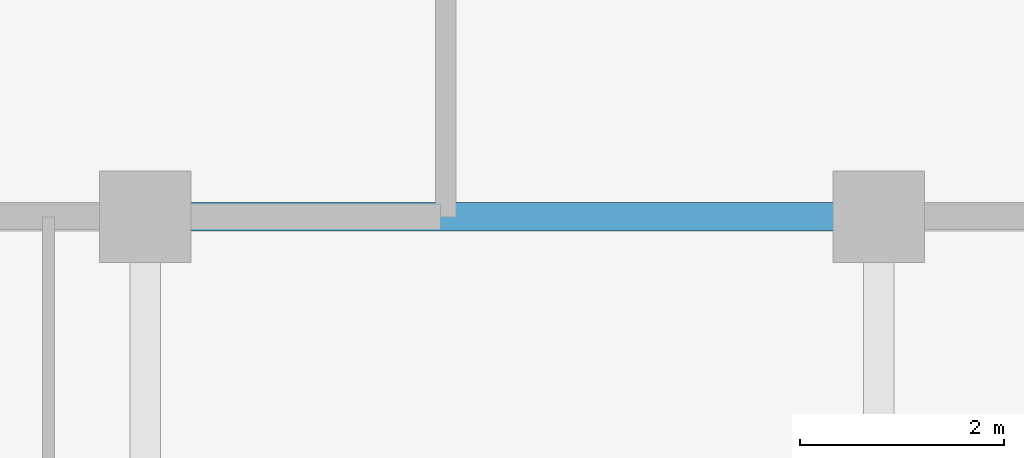
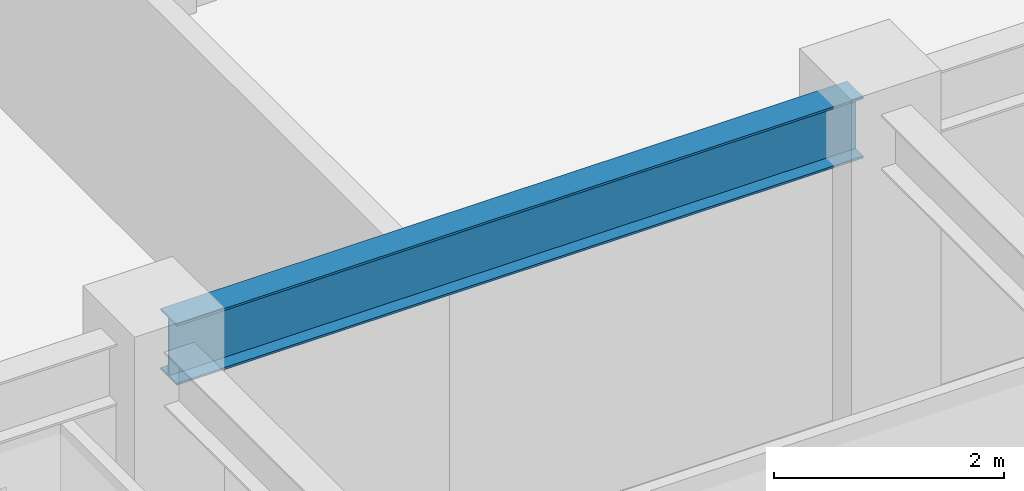
# One storey, part 6 of 22: 1 beam.
"""IFC4 building model written with IfcOpenShell, lengths in metres."""

import ifcopenshell
import ifcopenshell.guid

model = None  # the IFC model being written
_history = None  # IfcOwnerHistory: only IFC2X3 demands one
_inside = {}  # id of a spatial element -> (the spatial element, [elements in it])
_under = {}  # id of a project, library or spatial element -> (it, [spatial elements below it])
_declared = {}  # id of a project -> (the project, [libraries it declares])
_typed = {}  # id of a type object -> (the type object, [elements of that type])
_made_of = {}  # id of a material, layer set ... -> (it, [elements and type objects made of it])


def new_model(schema):
    """Start an empty IFC model of exactly this schema.

    Asked for "IFC4X3", IfcOpenShell would pick the latest addendum, in which some entities
    have other attributes; the version numbers below select the first issue.
    IFC2X3 requires an IfcOwnerHistory on every rooted entity: one is made here for all.
    """
    global model, _history
    if schema == "IFC4X3":
        model = ifcopenshell.file(schema_version=(4, 3, 0, 0))
    else:
        model = ifcopenshell.file(schema=schema)
    _inside.clear()
    _under.clear()
    _declared.clear()
    _typed.clear()
    _made_of.clear()
    _history = None
    if model.schema == "IFC2X3":
        org = make("IfcOrganization", Name="unknown")
        user = make(
            "IfcPersonAndOrganization",
            ThePerson=make("IfcPerson", FamilyName="unknown"),
            TheOrganization=org,
        )
        app = make(
            "IfcApplication",
            ApplicationDeveloper=org,
            Version="unknown",
            ApplicationFullName="unknown",
            ApplicationIdentifier="unknown",
        )
        _history = make(
            "IfcOwnerHistory",
            OwningUser=user,
            OwningApplication=app,
            ChangeAction="ADDED",
            CreationDate=0,
        )
    return model


def make(cls, **values):
    """One entity of the class cls with the attributes given. An attribute that is None is left unset."""
    return model.create_entity(
        cls, **{name: value for name, value in values.items() if value is not None}
    )


def rooted(cls, **values):
    """An entity with a GlobalId (a new one), such as an element, a storey or a relation."""
    return make(cls, GlobalId=ifcopenshell.guid.new(), OwnerHistory=_history, **values)


def si_unit(unit_type, name, prefix=None):
    """IfcSIUnit, for example si_unit("LENGTHUNIT", "METRE", prefix="MILLI")."""
    return make("IfcSIUnit", UnitType=unit_type, Prefix=prefix, Name=name)


def assignment(units):
    """IfcUnitAssignment: the units of a project."""
    return None if units is None else make("IfcUnitAssignment", Units=units)


def point(xyz):
    """IfcCartesianPoint."""
    return None if xyz is None else make("IfcCartesianPoint", Coordinates=xyz)


def direction(xyz):
    """IfcDirection."""
    return None if xyz is None else make("IfcDirection", DirectionRatios=xyz)


def frame(location, z_axis=None, x_axis=None):
    """IfcAxis2Placement3D, a coordinate frame: its origin and axes. An axis left out is left unset."""
    return make(
        "IfcAxis2Placement3D",
        Location=point(location),
        Axis=direction(z_axis),
        RefDirection=direction(x_axis),
    )


def frame_2d(location, x_axis=None):
    """IfcAxis2Placement2D, a coordinate frame in the plane: its origin and x axis."""
    return make(
        "IfcAxis2Placement2D", Location=point(location), RefDirection=direction(x_axis)
    )


def origin():
    """The frame at (0, 0, 0) with its axes left unset."""
    return frame((0.0, 0.0, 0.0))


def origin_2d():
    """The frame at (0, 0) in the plane with its x axis left unset."""
    return frame_2d((0.0, 0.0))


def place(relative_to, where):
    """IfcLocalPlacement: puts the frame where relative to a parent placement (None: the world)."""
    return make(
        "IfcLocalPlacement", PlacementRelTo=relative_to, RelativePlacement=where
    )


def context(
    kind, dimensions, precision=None, world=None, true_north=None, identifier=None
):
    """IfcGeometricRepresentationContext, for example the 3D "Model" context."""
    return make(
        "IfcGeometricRepresentationContext",
        ContextIdentifier=identifier,
        ContextType=kind,
        CoordinateSpaceDimension=dimensions,
        Precision=precision,
        WorldCoordinateSystem=world,
        TrueNorth=true_north,
    )


def subcontext(parent, identifier, kind, view, scale=None):
    """IfcGeometricRepresentationSubContext, for example "Body" below "Model"."""
    return make(
        "IfcGeometricRepresentationSubContext",
        ContextIdentifier=identifier,
        ContextType=kind,
        ParentContext=parent,
        TargetScale=scale,
        TargetView=view,
    )


def project(units=None, contexts=None):
    """IfcProject with its units and contexts."""
    return rooted(
        "IfcProject",
        Name="project",
        RepresentationContexts=contexts,
        UnitsInContext=assignment(units),
    )


def spatial(cls, under=None, at=None, **own):
    """A site, building, storey or space (cls), placed at a placement, below another one or the project."""
    s = rooted(cls, ObjectPlacement=at, **own)
    if under is not None:
        _under.setdefault(under.id(), (under, []))[1].append(s)
    return s


def profile(cls, at=None, kind="AREA", **sizes):
    """A parametric profile (cls). Its sizes go by their IFC names, for example OverallWidth=200.0."""
    return make(cls, ProfileType=kind, Position=at, **sizes)


def i_section(**sizes):
    """IfcIShapeProfileDef."""
    return profile("IfcIShapeProfileDef", **sizes)


def extrude(swept, where, along, depth):
    """IfcExtrudedAreaSolid: the profile swept, set in the frame where, extruded along a direction by depth."""
    return make(
        "IfcExtrudedAreaSolid",
        SweptArea=swept,
        Position=where,
        ExtrudedDirection=direction(along),
        Depth=depth,
    )


def shape(context_of_items, identifier, shape_type, items):
    """IfcShapeRepresentation: the items that make up one representation, for example the "Body"."""
    return make(
        "IfcShapeRepresentation",
        ContextOfItems=context_of_items,
        RepresentationIdentifier=identifier,
        RepresentationType=shape_type,
        Items=items,
    )


def source(mapping_origin, context_of_items, identifier, shape_type, items):
    """IfcRepresentationMap: a shape defined once, which mapped items show again and again."""
    return make(
        "IfcRepresentationMap",
        MappingOrigin=mapping_origin,
        MappedRepresentation=shape(context_of_items, identifier, shape_type, items),
    )


def transform(
    local_origin,
    x_axis=None,
    y_axis=None,
    z_axis=None,
    scale=None,
    scale2=None,
    scale3=None,
    uniform=True,
):
    """IfcCartesianTransformationOperator3D, or its non-uniform kind. x_axis, y_axis, z_axis: its Axis1, 2, 3."""
    if uniform:
        return make(
            "IfcCartesianTransformationOperator3D",
            Axis1=direction(x_axis),
            Axis2=direction(y_axis),
            LocalOrigin=point(local_origin),
            Scale=scale,
            Axis3=direction(z_axis),
        )
    return make(
        "IfcCartesianTransformationOperator3DnonUniform",
        Axis1=direction(x_axis),
        Axis2=direction(y_axis),
        LocalOrigin=point(local_origin),
        Scale=scale,
        Axis3=direction(z_axis),
        Scale2=scale2,
        Scale3=scale3,
    )


def mapped(mapping_source, mapping_target):
    """IfcMappedItem: shows the shape of a source again, moved by a transform."""
    return make(
        "IfcMappedItem", MappingSource=mapping_source, MappingTarget=mapping_target
    )


def material(Name=None, Category=None):
    """IfcMaterial."""
    return make("IfcMaterial", Name=Name, Category=Category)


def material_profile(
    of_material, cross_section, Name=None, Category=None, Priority=None
):
    """IfcMaterialProfile: a cross section and its material."""
    return make(
        "IfcMaterialProfile",
        Name=Name,
        Material=of_material,
        Profile=cross_section,
        Priority=Priority,
        Category=Category,
    )


def profile_set(profiles, Name=None, composite=None):
    """IfcMaterialProfileSet."""
    return make(
        "IfcMaterialProfileSet",
        Name=Name,
        MaterialProfiles=profiles,
        CompositeProfile=composite,
    )


def made_of(thing, what):
    """Note that an element or type object is made of a material, layer set ...; save() writes the relation."""
    if what is not None:
        _made_of.setdefault(what.id(), (what, []))[1].append(thing)
    return thing


def type_object(cls, material=None, **own):
    """A type object (cls), such as IfcWallType, which elements share."""
    return made_of(rooted(cls, **own), material)


def element(
    cls,
    number,
    at=None,
    inside=None,
    cuts=None,
    type_object=None,
    material=None,
    context=None,
    identifier="Body",
    shape_type=None,
    held_by="IfcProductDefinitionShape",
    body=None,
    shapes=None,
    **own,
):
    """One element of the class cls, such as IfcWall. Its Tag is "e" and its number.

    at: its placement. inside: the storey or other place that contains it. cuts: it is an
    opening in that element (IfcRelVoidsElement). A single representation is given by context,
    identifier, shape_type and body (its items); several are given by shapes. held_by: the class
    of the entity that holds the representations. save() writes the other relations.
    """
    e = rooted(cls, Tag="e%d" % number, ObjectPlacement=at, **own)
    if body is not None:
        shapes = [shape(context, identifier, shape_type, body)]
    if shapes is not None:
        e.Representation = make(held_by, Representations=shapes)
    if inside is not None:
        _inside.setdefault(inside.id(), (inside, []))[1].append(e)
    if cuts is not None:
        rooted(
            "IfcRelVoidsElement", RelatingBuildingElement=cuts, RelatedOpeningElement=e
        )
    if type_object is not None:
        _typed.setdefault(type_object.id(), (type_object, []))[1].append(e)
    return made_of(e, material)


def aggregate(whole, parts):
    """IfcRelAggregates: a whole, such as a stair, and the parts it consists of."""
    return rooted("IfcRelAggregates", RelatingObject=whole, RelatedObjects=parts)


def save(model, path):
    """Write the relations noted so far, then the file.

    IfcRelAggregates (storeys below a building ...), IfcRelContainedInSpatialStructure (elements
    in a storey), IfcRelDefinesByType, IfcRelAssociatesMaterial and IfcRelDeclares: one each for
    every whole, place, type object, material and project.
    """
    for whole, parts in _under.values():
        aggregate(whole, parts)
    for where, things in _inside.values():
        rooted(
            "IfcRelContainedInSpatialStructure",
            RelatedElements=things,
            RelatingStructure=where,
        )
    for kind, things in _typed.values():
        rooted("IfcRelDefinesByType", RelatedObjects=things, RelatingType=kind)
    for what, things in _made_of.values():
        rooted("IfcRelAssociatesMaterial", RelatedObjects=things, RelatingMaterial=what)
    for by, libraries in _declared.values():
        rooted("IfcRelDeclares", RelatingContext=by, RelatedDefinitions=libraries)
    model.write(path)


model = new_model("IFC4")

# Units and contexts
model_context = context("Model", 3, precision=1e-05, world=origin(), true_north=direction((0.0, 1.0)))
body_context = subcontext(model_context, "Body", "Model", "MODEL_VIEW")
ifc_project = project(units=[si_unit("LENGTHUNIT", "METRE"), si_unit("AREAUNIT", "SQUARE_METRE"), si_unit("VOLUMEUNIT", "CUBIC_METRE"), si_unit("PLANEANGLEUNIT", "RADIAN"), si_unit("MASSUNIT", "GRAM", prefix="KILO")], contexts=[model_context])

# Site, building, storey
site_placement = place(None, origin())
site = spatial("IfcSite", under=ifc_project, at=site_placement, CompositionType="ELEMENT")
building_placement = place(site_placement, origin())
building = spatial("IfcBuilding", under=site, at=building_placement, Name="Trelvane Seafront Commons", CompositionType="ELEMENT")
storey_placement = place(building_placement, frame((0.0, 0.0, 45.10009765625)))
storey = spatial("IfcBuildingStorey", under=building, at=storey_placement, Name="L11", CompositionType="ELEMENT", Elevation=45.10009765625)

# Beam
ifc_material = material(Name="Steel SM355 (S355)", Category="steel")
ifc_material_profile = material_profile(ifc_material, i_section(OverallWidth=0.280029296875, OverallDepth=0.64990234375, WebThickness=0.012939453125, FlangeThickness=0.02197265625, at=origin_2d()), Name="H-650x280x13x22")
ifc_profile_set = profile_set([ifc_material_profile], Name="Steel SM355 (S355)")
beam_type = type_object("IfcBeamType", Name="STR-BM-H650", PredefinedType="BEAM", material=ifc_profile_set)
shared_shape = source(origin(), body_context, "Body", "SweptSolid", [
    extrude(i_section(OverallWidth=0.280029296875, OverallDepth=0.64990234375, WebThickness=0.012939453125, FlangeThickness=0.02197265625, at=origin_2d()), origin(), (0.0, 0.0, 1.0), 6.89990234375),
])
beam_placement = place(storey_placement, frame((23.550048828125, 33.39990234375, 3.014892578125), z_axis=(1.0, 0.0, 0.0), x_axis=(0.0, 1.0, 0.0)))
element("IfcBeam", 1, at=beam_placement, inside=storey, type_object=beam_type, Name="L11 Primary Girder G-22", PredefinedType="BEAM", context=body_context, shape_type="MappedRepresentation", body=[
    mapped(shared_shape, transform((0.0, 0.0, 0.0), x_axis=(1.0, 0.0, 0.0), y_axis=(0.0, 1.0, 0.0), z_axis=(0.0, 0.0, 1.0), scale=1.0)),
])

save(model, "model.ifc")
